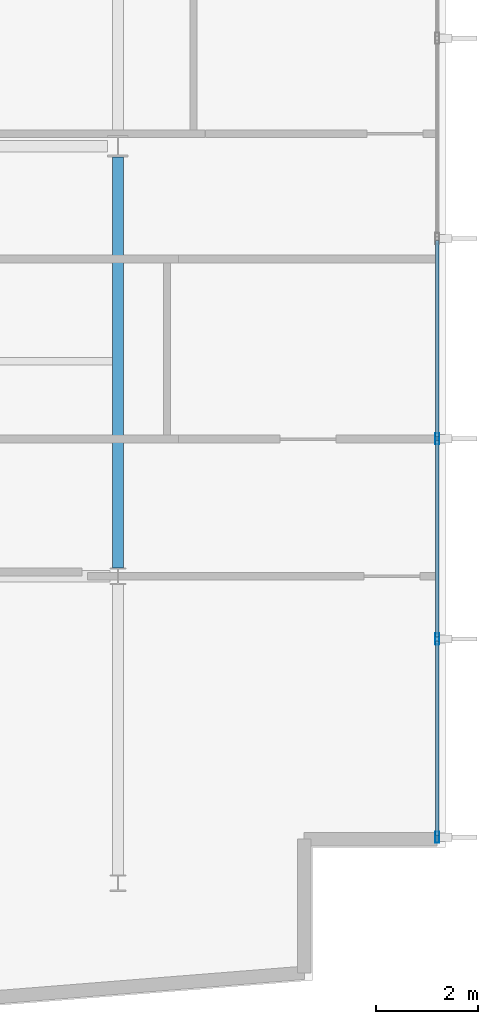
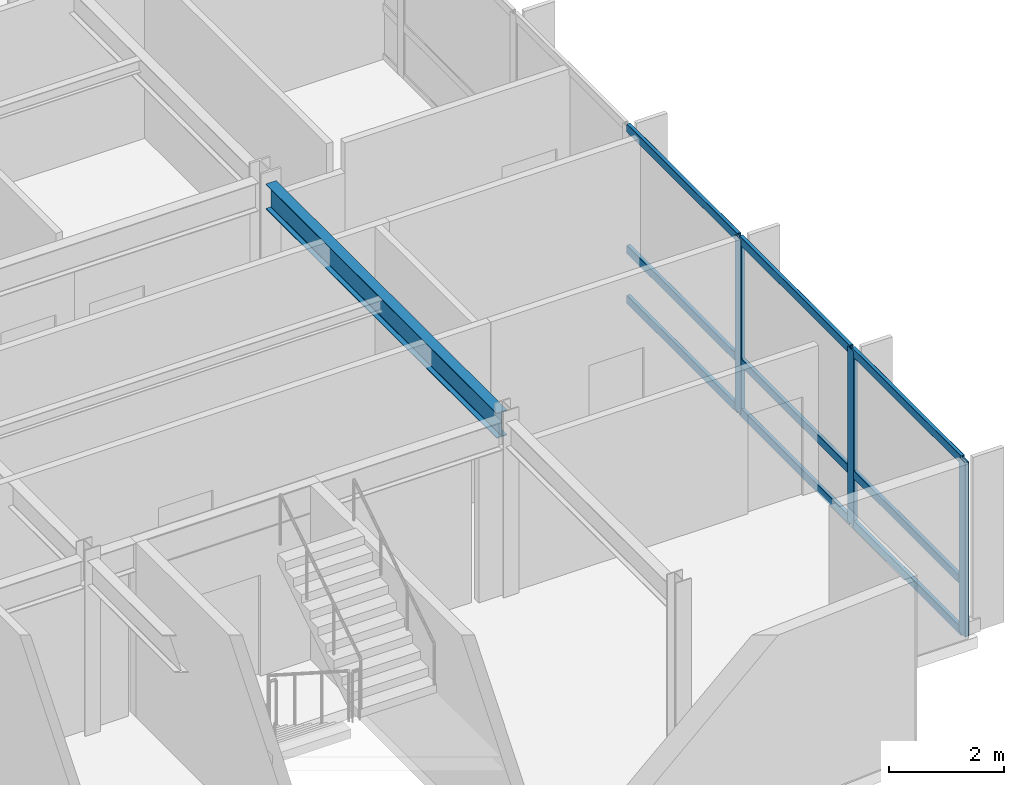
# One storey, part 5 of 18: 12 members, 1 beam, 1 element without a shape of its own.
"""IFC4 building model written with IfcOpenShell, lengths in metres."""

from ifc_helpers import new_model, si_unit, direction, frame, origin, origin_2d, place, context, subcontext, project, spatial, hollow_rectangle, i_section, extrude, material, layer, layer_set, material_profile, profile_set, type_object, element, aggregate, save


model = new_model("IFC4")

# Units and contexts
model_context = context("Model", 3, precision=1e-05, world=origin(), true_north=direction((0.0, 1.0)))
body_context = subcontext(model_context, "Body", "Model", "MODEL_VIEW")
ifc_project = project(units=[si_unit("LENGTHUNIT", "METRE"), si_unit("AREAUNIT", "SQUARE_METRE"), si_unit("VOLUMEUNIT", "CUBIC_METRE"), si_unit("PLANEANGLEUNIT", "RADIAN"), si_unit("MASSUNIT", "GRAM", prefix="KILO")], contexts=[model_context])

# Site, building, storey
site_placement = place(None, origin())
site = spatial("IfcSite", under=ifc_project, at=site_placement, CompositionType="ELEMENT")
building_placement = place(site_placement, origin())
building = spatial("IfcBuilding", under=site, at=building_placement, Name="Varnakote Quay Hospital", CompositionType="ELEMENT")
storey_placement = place(building_placement, frame((0.0, 0.0, 119.14990234375)))
storey = spatial("IfcBuildingStorey", under=building, at=storey_placement, Name="L29", CompositionType="ELEMENT", Elevation=119.14990234375)

# Beam
ifc_material_1 = material(Name="Structural steel AS/NZS 3679.1 Grade 350 L0 (fy 340 MPa)", Category="steel")
ifc_material_profile_1 = material_profile(ifc_material_1, i_section(OverallWidth=0.208984375, OverallDepth=0.532958984375, WebThickness=0.01025390625, FlangeThickness=0.015625, FilletRadius=0.013916015625, at=origin_2d()), Name="530UB92.4")
ifc_profile_set_1 = profile_set([ifc_material_profile_1], Name="Structural steel AS/NZS 3679.1 Grade 350 L0 (fy 340 MPa)")
beam_type = type_object("IfcBeamType", Name="BM-STL-530UB92-4", PredefinedType="BEAM", material=ifc_profile_set_1)
beam_placement = place(storey_placement, frame((50.39990234375, 12.160400390625, 3.443603515625), z_axis=(0.0, 1.0, 0.0), x_axis=(-1.0, 0.0, 0.0)))
element("IfcBeam", 1, at=beam_placement, inside=storey, type_object=beam_type, Name="L29 Primary Tie Beam", PredefinedType="BEAM", context=body_context, shape_type="SweptSolid", body=[
    extrude(i_section(OverallWidth=0.208984375, OverallDepth=0.532958984375, WebThickness=0.01025390625, FlangeThickness=0.015625, FilletRadius=0.013916015625, at=origin_2d()), origin(), (0.0, 0.0, 1.0), 8.029541015625),
])

# Curtain wall, members
ifc_material_2 = material(Name="Anodised aluminium 6063-T6 Bronze", Category="aluminium")
ifc_layer = layer(ifc_material_2, 0.205078125)
ifc_layer_set = layer_set([ifc_layer], Name="Anodised aluminium 6063-T6 Bronze")
curtain_wall_type = type_object("IfcCurtainWallType", Name="CW-SYS-3", PredefinedType="NOTDEFINED", material=ifc_layer_set)
curtain_wall_placement = place(storey_placement, origin())
curtain_wall = element("IfcCurtainWall", 2, at=curtain_wall_placement, inside=storey, type_object=curtain_wall_type, Name="L29 Unitised Bronze Curtain Wall 1", PredefinedType="NOTDEFINED")
ifc_material_3 = material(Name="Anodised aluminium 6063-T6 Bronze", Category="aluminium")
ifc_material_profile_2 = material_profile(ifc_material_3, hollow_rectangle(XDim=0.074951171875, YDim=0.219970703125, WallThickness=0.00439453125, InnerFilletRadius=0.00439453125, OuterFilletRadius=0.009033203125, at=origin_2d()), Name="CW-MULL-220x75")
ifc_profile_set_2 = profile_set([ifc_material_profile_2], Name="Anodised aluminium 6063-T6 Bronze")
member_type_1 = type_object("IfcMemberType", Name="CW-MULL-220x75", PredefinedType="MULLION", material=ifc_profile_set_2)
member_1_placement = place(storey_placement, frame((56.639892578125, 6.8974609375, 0.0), z_axis=(0.0, 0.0, 1.0), x_axis=(-1.0, 0.0, 0.0)))
member_1 = element("IfcMember", 3, at=member_1_placement, type_object=member_type_1, Name="-3-L29-1 mullion 1", PredefinedType="MULLION", context=body_context, shape_type="SweptSolid", body=[
    extrude(hollow_rectangle(XDim=0.074951171875, YDim=0.219970703125, WallThickness=0.00439453125, InnerFilletRadius=0.00439453125, OuterFilletRadius=0.009033203125, at=origin_2d()), origin(), (0.0, 0.0, 1.0), 3.710205078125),
])
member_2_placement = place(storey_placement, frame((56.639892578125, 10.7734375, 0.0), z_axis=(0.0, 0.0, 1.0), x_axis=(-1.0, 0.0, 0.0)))
member_2 = element("IfcMember", 4, at=member_2_placement, type_object=member_type_1, Name="-3-L29-1 mullion 2", PredefinedType="MULLION", context=body_context, shape_type="SweptSolid", body=[
    extrude(hollow_rectangle(XDim=0.074951171875, YDim=0.219970703125, WallThickness=0.00439453125, InnerFilletRadius=0.00439453125, OuterFilletRadius=0.009033203125, at=origin_2d()), origin(), (0.0, 0.0, 1.0), 3.710205078125),
])
member_3_placement = place(storey_placement, frame((56.639892578125, 14.686767578125, 0.0), z_axis=(0.0, 0.0, 1.0), x_axis=(-1.0, 0.0, 0.0)))
member_3 = element("IfcMember", 5, at=member_3_placement, type_object=member_type_1, Name="-3-L29-1 mullion 3", PredefinedType="MULLION", context=body_context, shape_type="SweptSolid", body=[
    extrude(hollow_rectangle(XDim=0.074951171875, YDim=0.219970703125, WallThickness=0.00439453125, InnerFilletRadius=0.00439453125, OuterFilletRadius=0.009033203125, at=origin_2d()), origin(), (0.0, 0.0, 1.0), 3.710205078125),
])
ifc_material_4 = material(Name="Anodised aluminium 6063-T6 Bronze", Category="aluminium")
ifc_material_profile_3 = material_profile(ifc_material_4, hollow_rectangle(XDim=0.074951171875, YDim=0.179931640625, WallThickness=0.004150390625, InnerFilletRadius=0.004150390625, OuterFilletRadius=0.00830078125, at=origin_2d()), Name="CW-TRAN-180x75")
ifc_profile_set_3 = profile_set([ifc_material_profile_3], Name="Anodised aluminium 6063-T6 Bronze")
member_type_2 = type_object("IfcMemberType", Name="CW-TRAN-180x75", PredefinedType="USERDEFINED", material=ifc_profile_set_3)
member_4_placement = place(storey_placement, frame((56.639892578125, 6.93505859375, 0.03759765625), z_axis=(0.0, 1.0, 0.0), x_axis=(-1.0, 0.0, 0.0)))
member_4 = element("IfcMember", 6, at=member_4_placement, type_object=member_type_2, Name="-3-L29-1 transom 1.1", ObjectType="TRANSOM", PredefinedType="USERDEFINED", context=body_context, shape_type="SweptSolid", body=[
    extrude(hollow_rectangle(XDim=0.074951171875, YDim=0.179931640625, WallThickness=0.004150390625, InnerFilletRadius=0.004150390625, OuterFilletRadius=0.00830078125, at=origin_2d()), origin(), (0.0, 0.0, 1.0), 3.80078125),
])
member_5_placement = place(storey_placement, frame((56.639892578125, 6.93505859375, 1.10009765625), z_axis=(0.0, 1.0, 0.0), x_axis=(-1.0, 0.0, 0.0)))
member_5 = element("IfcMember", 7, at=member_5_placement, type_object=member_type_2, Name="-3-L29-1 transom 1.2", ObjectType="TRANSOM", PredefinedType="USERDEFINED", context=body_context, shape_type="SweptSolid", body=[
    extrude(hollow_rectangle(XDim=0.074951171875, YDim=0.179931640625, WallThickness=0.004150390625, InnerFilletRadius=0.004150390625, OuterFilletRadius=0.00830078125, at=origin_2d()), origin(), (0.0, 0.0, 1.0), 3.80078125),
])
member_6_placement = place(storey_placement, frame((56.639892578125, 6.93505859375, 3.672607421875), z_axis=(0.0, 1.0, 0.0), x_axis=(-1.0, 0.0, 0.0)))
member_6 = element("IfcMember", 8, at=member_6_placement, type_object=member_type_2, Name="-3-L29-1 transom 1.3", ObjectType="TRANSOM", PredefinedType="USERDEFINED", context=body_context, shape_type="SweptSolid", body=[
    extrude(hollow_rectangle(XDim=0.074951171875, YDim=0.179931640625, WallThickness=0.004150390625, InnerFilletRadius=0.004150390625, OuterFilletRadius=0.00830078125, at=origin_2d()), origin(), (0.0, 0.0, 1.0), 3.80078125),
])
member_7_placement = place(storey_placement, frame((56.639892578125, 10.810791015625, 0.03759765625), z_axis=(0.0, 1.0, 0.0), x_axis=(-1.0, 0.0, 0.0)))
member_7 = element("IfcMember", 9, at=member_7_placement, type_object=member_type_2, Name="-3-L29-1 transom 2.1", ObjectType="TRANSOM", PredefinedType="USERDEFINED", context=body_context, shape_type="SweptSolid", body=[
    extrude(hollow_rectangle(XDim=0.074951171875, YDim=0.179931640625, WallThickness=0.004150390625, InnerFilletRadius=0.004150390625, OuterFilletRadius=0.00830078125, at=origin_2d()), origin(), (0.0, 0.0, 1.0), 3.83837890625),
])
member_8_placement = place(storey_placement, frame((56.639892578125, 10.810791015625, 1.10009765625), z_axis=(0.0, 1.0, 0.0), x_axis=(-1.0, 0.0, 0.0)))
member_8 = element("IfcMember", 10, at=member_8_placement, type_object=member_type_2, Name="-3-L29-1 transom 2.2", ObjectType="TRANSOM", PredefinedType="USERDEFINED", context=body_context, shape_type="SweptSolid", body=[
    extrude(hollow_rectangle(XDim=0.074951171875, YDim=0.179931640625, WallThickness=0.004150390625, InnerFilletRadius=0.004150390625, OuterFilletRadius=0.00830078125, at=origin_2d()), origin(), (0.0, 0.0, 1.0), 3.83837890625),
])
member_9_placement = place(storey_placement, frame((56.639892578125, 10.810791015625, 3.672607421875), z_axis=(0.0, 1.0, 0.0), x_axis=(-1.0, 0.0, 0.0)))
member_9 = element("IfcMember", 11, at=member_9_placement, type_object=member_type_2, Name="-3-L29-1 transom 2.3", ObjectType="TRANSOM", PredefinedType="USERDEFINED", context=body_context, shape_type="SweptSolid", body=[
    extrude(hollow_rectangle(XDim=0.074951171875, YDim=0.179931640625, WallThickness=0.004150390625, InnerFilletRadius=0.004150390625, OuterFilletRadius=0.00830078125, at=origin_2d()), origin(), (0.0, 0.0, 1.0), 3.83837890625),
])
member_10_placement = place(storey_placement, frame((56.639892578125, 14.72412109375, 0.03759765625), z_axis=(0.0, 1.0, 0.0), x_axis=(-1.0, 0.0, 0.0)))
member_10 = element("IfcMember", 12, at=member_10_placement, type_object=member_type_2, Name="-3-L29-1 transom 3.1", ObjectType="TRANSOM", PredefinedType="USERDEFINED", context=body_context, shape_type="SweptSolid", body=[
    extrude(hollow_rectangle(XDim=0.074951171875, YDim=0.179931640625, WallThickness=0.004150390625, InnerFilletRadius=0.004150390625, OuterFilletRadius=0.00830078125, at=origin_2d()), origin(), (0.0, 0.0, 1.0), 3.83837890625),
])
member_11_placement = place(storey_placement, frame((56.639892578125, 14.72412109375, 1.10009765625), z_axis=(0.0, 1.0, 0.0), x_axis=(-1.0, 0.0, 0.0)))
member_11 = element("IfcMember", 13, at=member_11_placement, type_object=member_type_2, Name="-3-L29-1 transom 3.2", ObjectType="TRANSOM", PredefinedType="USERDEFINED", context=body_context, shape_type="SweptSolid", body=[
    extrude(hollow_rectangle(XDim=0.074951171875, YDim=0.179931640625, WallThickness=0.004150390625, InnerFilletRadius=0.004150390625, OuterFilletRadius=0.00830078125, at=origin_2d()), origin(), (0.0, 0.0, 1.0), 3.83837890625),
])
member_12_placement = place(storey_placement, frame((56.639892578125, 14.72412109375, 3.672607421875), z_axis=(0.0, 1.0, 0.0), x_axis=(-1.0, 0.0, 0.0)))
member_12 = element("IfcMember", 14, at=member_12_placement, type_object=member_type_2, Name="-3-L29-1 transom 3.3", ObjectType="TRANSOM", PredefinedType="USERDEFINED", context=body_context, shape_type="SweptSolid", body=[
    extrude(hollow_rectangle(XDim=0.074951171875, YDim=0.179931640625, WallThickness=0.004150390625, InnerFilletRadius=0.004150390625, OuterFilletRadius=0.00830078125, at=origin_2d()), origin(), (0.0, 0.0, 1.0), 3.83837890625),
])
aggregate(curtain_wall, [member_1, member_2, member_3, member_4, member_5, member_6, member_7, member_8, member_9, member_10, member_11, member_12])

save(model, "model.ifc")
